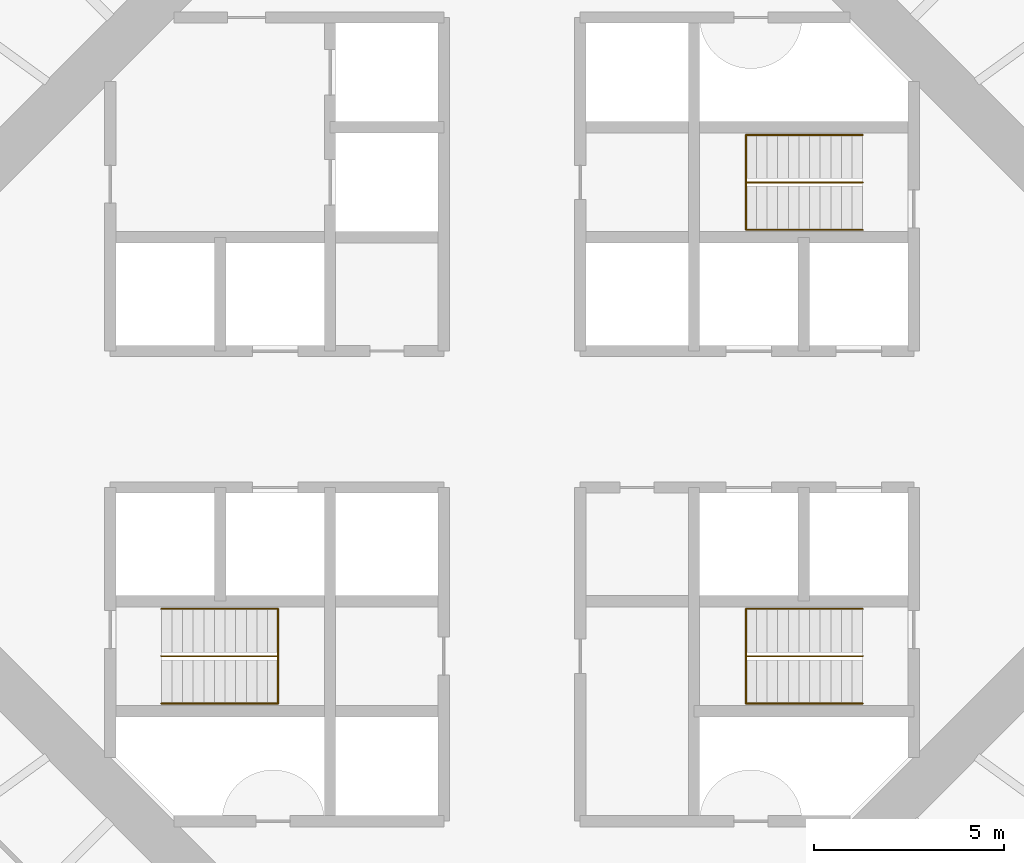
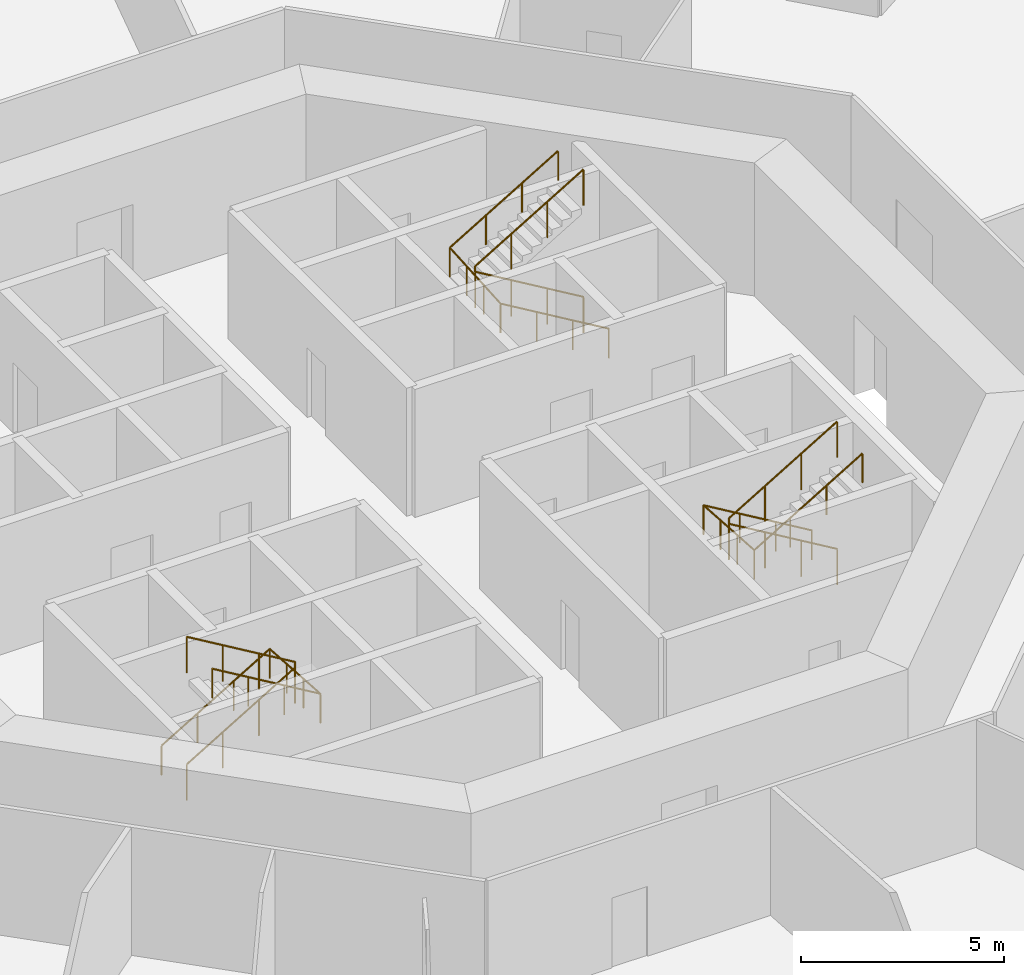
# One storey, part 13 of 13: 6 railings.
"""IFC4 building model written with IfcOpenShell, lengths in metres."""

from ifc_helpers import new_model, si_unit, direction, frame, origin, origin_2d, place, context, subcontext, project, spatial, circle, extrude, material, type_object, element, save


model = new_model("IFC4")

# Units and contexts
model_context = context("Model", 3, precision=1e-05, world=origin(), true_north=direction((0.0, 1.0)))
body_context = subcontext(model_context, "Body", "Model", "MODEL_VIEW")
ifc_project = project(units=[si_unit("LENGTHUNIT", "METRE"), si_unit("AREAUNIT", "SQUARE_METRE"), si_unit("VOLUMEUNIT", "CUBIC_METRE"), si_unit("PLANEANGLEUNIT", "RADIAN"), si_unit("MASSUNIT", "GRAM", prefix="KILO")], contexts=[model_context])

# Site, building, storey
site_placement = place(None, origin())
site = spatial("IfcSite", under=ifc_project, at=site_placement, CompositionType="ELEMENT")
building_placement = place(site_placement, origin())
building = spatial("IfcBuilding", under=site, at=building_placement, Name="Entoto Ring Tower", CompositionType="ELEMENT")
storey_placement = place(building_placement, frame((0.0, 0.0, 92.0)))
storey = spatial("IfcBuildingStorey", under=building, at=storey_placement, Name="L20", CompositionType="ELEMENT", Elevation=92.0)

# Railings
ifc_material_1 = material(Name="Steel S275", Category="steel")
railing_type_1 = type_object("IfcRailingType", Name="Stair guard 1100 mm steel", PredefinedType="GUARDRAIL", material=ifc_material_1)
railing_1_placement = place(storey_placement, frame((99.25, 86.25, 0.166748046875)))
element("IfcRailing", 1, at=railing_1_placement, inside=storey, type_object=railing_type_1, Name="Guard ST1", PredefinedType="GUARDRAIL", context=body_context, shape_type="SweptSolid", body=[
    extrude(circle(Radius=0.02392578125, at=origin_2d()), frame((0.0, 0.0, 1.076171875), z_axis=(-0.859308565015, 0.0, 0.511457515432), x_axis=(0.0, -1.0, 0.0)), (0.0, 0.0, 1.0), 3.58447265625),
    extrude(circle(Radius=0.02392578125, at=origin_2d()), frame((-3.080078125, 0.0, 2.9091796875), z_axis=(0.0, 0.0, 1.0), x_axis=(1.0, 0.0, 0.0)), (0.0, 0.0, 1.0), 0.166748046875),
    extrude(circle(Radius=0.02392578125, at=origin_2d()), frame((-3.080078125, 0.0, 3.076171875), z_axis=(0.859308565015, 0.0, 0.511457515432), x_axis=(0.0, 1.0, 0.0)), (0.0, 0.0, 1.0), 3.58447265625),
    extrude(circle(Radius=0.02099609375, at=origin_2d()), origin(), (0.0, 0.0, 1.0), 1.052001953125),
    extrude(circle(Radius=0.02099609375, at=origin_2d()), frame((-1.026611328125, 0.0, 0.611083984375)), (0.0, 0.0, 1.0), 1.052001953125),
    extrude(circle(Radius=0.02099609375, at=origin_2d()), frame((-2.053466796875, 0.0, 1.22216796875)), (0.0, 0.0, 1.0), 1.052001953125),
    extrude(circle(Radius=0.02099609375, at=origin_2d()), frame((-3.080078125, 0.0, 1.833251953125)), (0.0, 0.0, 1.0), 1.052001953125),
    extrude(circle(Radius=0.02099609375, at=origin_2d()), frame((-3.080078125, 0.0, 2.0)), (0.0, 0.0, 1.0), 1.052001953125),
    extrude(circle(Radius=0.02099609375, at=origin_2d()), frame((-2.053466796875, 0.0, 2.611083984375)), (0.0, 0.0, 1.0), 1.052001953125),
    extrude(circle(Radius=0.02099609375, at=origin_2d()), frame((-1.026611328125, 0.0, 3.22216796875)), (0.0, 0.0, 1.0), 1.052001953125),
    extrude(circle(Radius=0.02099609375, at=origin_2d()), frame((0.0, 0.0, 3.833251953125)), (0.0, 0.0, 1.0), 1.052001953125),
])
railing_2_placement = place(storey_placement, frame((80.75, 73.75, 0.166748046875)))
element("IfcRailing", 2, at=railing_2_placement, inside=storey, type_object=railing_type_1, Name="Guard ST2", PredefinedType="GUARDRAIL", context=body_context, shape_type="SweptSolid", body=[
    extrude(circle(Radius=0.02392578125, at=origin_2d()), frame((0.0, 0.0, 1.076171875), z_axis=(0.859308565015, 0.0, 0.511457515432), x_axis=(0.0, 1.0, 0.0)), (0.0, 0.0, 1.0), 3.58447265625),
    extrude(circle(Radius=0.02392578125, at=origin_2d()), frame((3.080078125, 0.0, 2.9091796875), z_axis=(0.0, 0.0, 1.0), x_axis=(1.0, 0.0, 0.0)), (0.0, 0.0, 1.0), 0.166748046875),
    extrude(circle(Radius=0.02392578125, at=origin_2d()), frame((3.080078125, 0.0, 3.076171875), z_axis=(-0.859308565015, 0.0, 0.511457515432), x_axis=(0.0, -1.0, 0.0)), (0.0, 0.0, 1.0), 3.58447265625),
    extrude(circle(Radius=0.02099609375, at=origin_2d()), origin(), (0.0, 0.0, 1.0), 1.052001953125),
    extrude(circle(Radius=0.02099609375, at=origin_2d()), frame((1.026611328125, 0.0, 0.611083984375)), (0.0, 0.0, 1.0), 1.052001953125),
    extrude(circle(Radius=0.02099609375, at=origin_2d()), frame((2.053466796875, 0.0, 1.22216796875)), (0.0, 0.0, 1.0), 1.052001953125),
    extrude(circle(Radius=0.02099609375, at=origin_2d()), frame((3.080078125, 0.0, 1.833251953125)), (0.0, 0.0, 1.0), 1.052001953125),
    extrude(circle(Radius=0.02099609375, at=origin_2d()), frame((3.080078125, 0.0, 2.0)), (0.0, 0.0, 1.0), 1.052001953125),
    extrude(circle(Radius=0.02099609375, at=origin_2d()), frame((2.053466796875, 0.0, 2.611083984375)), (0.0, 0.0, 1.0), 1.052001953125),
    extrude(circle(Radius=0.02099609375, at=origin_2d()), frame((1.026611328125, 0.0, 3.22216796875)), (0.0, 0.0, 1.0), 1.052001953125),
    extrude(circle(Radius=0.02099609375, at=origin_2d()), frame((0.0, 0.0, 3.833251953125)), (0.0, 0.0, 1.0), 1.052001953125),
])
railing_3_placement = place(storey_placement, frame((99.25, 73.75, 0.166748046875)))
element("IfcRailing", 3, at=railing_3_placement, inside=storey, type_object=railing_type_1, Name="Guard ST3", PredefinedType="GUARDRAIL", context=body_context, shape_type="SweptSolid", body=[
    extrude(circle(Radius=0.02392578125, at=origin_2d()), frame((0.0, 0.0, 1.076171875), z_axis=(-0.859308565015, 0.0, 0.511457515432), x_axis=(0.0, -1.0, 0.0)), (0.0, 0.0, 1.0), 3.58447265625),
    extrude(circle(Radius=0.02392578125, at=origin_2d()), frame((-3.080078125, 0.0, 2.9091796875), z_axis=(0.0, 0.0, 1.0), x_axis=(1.0, 0.0, 0.0)), (0.0, 0.0, 1.0), 0.166748046875),
    extrude(circle(Radius=0.02392578125, at=origin_2d()), frame((-3.080078125, 0.0, 3.076171875), z_axis=(0.859308565015, 0.0, 0.511457515432), x_axis=(0.0, 1.0, 0.0)), (0.0, 0.0, 1.0), 3.58447265625),
    extrude(circle(Radius=0.02099609375, at=origin_2d()), origin(), (0.0, 0.0, 1.0), 1.052001953125),
    extrude(circle(Radius=0.02099609375, at=origin_2d()), frame((-1.026611328125, 0.0, 0.611083984375)), (0.0, 0.0, 1.0), 1.052001953125),
    extrude(circle(Radius=0.02099609375, at=origin_2d()), frame((-2.053466796875, 0.0, 1.22216796875)), (0.0, 0.0, 1.0), 1.052001953125),
    extrude(circle(Radius=0.02099609375, at=origin_2d()), frame((-3.080078125, 0.0, 1.833251953125)), (0.0, 0.0, 1.0), 1.052001953125),
    extrude(circle(Radius=0.02099609375, at=origin_2d()), frame((-3.080078125, 0.0, 2.0)), (0.0, 0.0, 1.0), 1.052001953125),
    extrude(circle(Radius=0.02099609375, at=origin_2d()), frame((-2.053466796875, 0.0, 2.611083984375)), (0.0, 0.0, 1.0), 1.052001953125),
    extrude(circle(Radius=0.02099609375, at=origin_2d()), frame((-1.026611328125, 0.0, 3.22216796875)), (0.0, 0.0, 1.0), 1.052001953125),
    extrude(circle(Radius=0.02099609375, at=origin_2d()), frame((0.0, 0.0, 3.833251953125)), (0.0, 0.0, 1.0), 1.052001953125),
])
ifc_material_2 = material(Name="Steel S275", Category="steel")
railing_type_2 = type_object("IfcRailingType", Name="Stair handrail 900 mm steel", PredefinedType="HANDRAIL", material=ifc_material_2)
railing_4_placement = place(storey_placement, frame((99.25, 85.0, 0.166748046875)))
element("IfcRailing", 4, at=railing_4_placement, inside=storey, type_object=railing_type_2, Name="Handrail ST1", PredefinedType="HANDRAIL", context=body_context, shape_type="SweptSolid", body=[
    extrude(circle(Radius=0.02392578125, at=origin_2d()), frame((0.0, 0.0, 0.8759765625), z_axis=(-0.859308565015, 0.0, 0.511457515432), x_axis=(0.0, -1.0, 0.0)), (0.0, 0.0, 1.0), 3.58447265625),
    extrude(circle(Radius=0.02392578125, at=origin_2d()), frame((-3.080078125, 0.0, 2.708984375), z_axis=(0.0, 0.997783001586, 0.066551346688), x_axis=(-1.0, 0.0, 0.0)), (0.0, 0.0, 1.0), 2.505615234375),
    extrude(circle(Radius=0.02392578125, at=origin_2d()), frame((-3.080078125, 2.5, 2.8759765625), z_axis=(0.859308565015, 0.0, 0.511457515432), x_axis=(0.0, 1.0, 0.0)), (0.0, 0.0, 1.0), 3.58447265625),
    extrude(circle(Radius=0.02099609375, at=origin_2d()), origin(), (0.0, 0.0, 1.0), 0.851806640625),
    extrude(circle(Radius=0.02099609375, at=origin_2d()), frame((-1.026611328125, 0.0, 0.611083984375)), (0.0, 0.0, 1.0), 0.851806640625),
    extrude(circle(Radius=0.02099609375, at=origin_2d()), frame((-2.053466796875, 0.0, 1.22216796875)), (0.0, 0.0, 1.0), 0.851806640625),
    extrude(circle(Radius=0.02099609375, at=origin_2d()), frame((-3.080078125, 0.0, 1.833251953125)), (0.0, 0.0, 1.0), 0.851806640625),
    extrude(circle(Radius=0.02099609375, at=origin_2d()), frame((-3.080078125, 0.833251953125, 1.888916015625)), (0.0, 0.0, 1.0), 0.851806640625),
    extrude(circle(Radius=0.02099609375, at=origin_2d()), frame((-3.080078125, 1.666748046875, 1.9443359375)), (0.0, 0.0, 1.0), 0.851806640625),
    extrude(circle(Radius=0.02099609375, at=origin_2d()), frame((-3.080078125, 2.5, 2.0)), (0.0, 0.0, 1.0), 0.851806640625),
    extrude(circle(Radius=0.02099609375, at=origin_2d()), frame((-2.053466796875, 2.5, 2.611083984375)), (0.0, 0.0, 1.0), 0.851806640625),
    extrude(circle(Radius=0.02099609375, at=origin_2d()), frame((-1.026611328125, 2.5, 3.22216796875)), (0.0, 0.0, 1.0), 0.851806640625),
    extrude(circle(Radius=0.02099609375, at=origin_2d()), frame((0.0, 2.5, 3.833251953125)), (0.0, 0.0, 1.0), 0.851806640625),
])
railing_5_placement = place(storey_placement, frame((80.75, 75.0, 0.166748046875)))
element("IfcRailing", 5, at=railing_5_placement, inside=storey, type_object=railing_type_2, Name="Handrail ST2", PredefinedType="HANDRAIL", context=body_context, shape_type="SweptSolid", body=[
    extrude(circle(Radius=0.02392578125, at=origin_2d()), frame((0.0, 0.0, 0.8759765625), z_axis=(0.859308565015, 0.0, 0.511457515432), x_axis=(0.0, 1.0, 0.0)), (0.0, 0.0, 1.0), 3.58447265625),
    extrude(circle(Radius=0.02392578125, at=origin_2d()), frame((3.080078125, 0.0, 2.708984375), z_axis=(0.0, -0.997783001586, 0.066551346688), x_axis=(1.0, 0.0, 0.0)), (0.0, 0.0, 1.0), 2.505615234375),
    extrude(circle(Radius=0.02392578125, at=origin_2d()), frame((3.080078125, -2.5, 2.8759765625), z_axis=(-0.859308565015, 0.0, 0.511457515432), x_axis=(0.0, -1.0, 0.0)), (0.0, 0.0, 1.0), 3.58447265625),
    extrude(circle(Radius=0.02099609375, at=origin_2d()), origin(), (0.0, 0.0, 1.0), 0.851806640625),
    extrude(circle(Radius=0.02099609375, at=origin_2d()), frame((1.026611328125, 0.0, 0.611083984375)), (0.0, 0.0, 1.0), 0.851806640625),
    extrude(circle(Radius=0.02099609375, at=origin_2d()), frame((2.053466796875, 0.0, 1.22216796875)), (0.0, 0.0, 1.0), 0.851806640625),
    extrude(circle(Radius=0.02099609375, at=origin_2d()), frame((3.080078125, 0.0, 1.833251953125)), (0.0, 0.0, 1.0), 0.851806640625),
    extrude(circle(Radius=0.02099609375, at=origin_2d()), frame((3.080078125, -0.833251953125, 1.888916015625)), (0.0, 0.0, 1.0), 0.851806640625),
    extrude(circle(Radius=0.02099609375, at=origin_2d()), frame((3.080078125, -1.666748046875, 1.9443359375)), (0.0, 0.0, 1.0), 0.851806640625),
    extrude(circle(Radius=0.02099609375, at=origin_2d()), frame((3.080078125, -2.5, 2.0)), (0.0, 0.0, 1.0), 0.851806640625),
    extrude(circle(Radius=0.02099609375, at=origin_2d()), frame((2.053466796875, -2.5, 2.611083984375)), (0.0, 0.0, 1.0), 0.851806640625),
    extrude(circle(Radius=0.02099609375, at=origin_2d()), frame((1.026611328125, -2.5, 3.22216796875)), (0.0, 0.0, 1.0), 0.851806640625),
    extrude(circle(Radius=0.02099609375, at=origin_2d()), frame((0.0, -2.5, 3.833251953125)), (0.0, 0.0, 1.0), 0.851806640625),
])
railing_6_placement = place(storey_placement, frame((99.25, 75.0, 0.166748046875)))
element("IfcRailing", 6, at=railing_6_placement, inside=storey, type_object=railing_type_2, Name="Handrail ST3", PredefinedType="HANDRAIL", context=body_context, shape_type="SweptSolid", body=[
    extrude(circle(Radius=0.02392578125, at=origin_2d()), frame((0.0, 0.0, 0.8759765625), z_axis=(-0.859308565015, 0.0, 0.511457515432), x_axis=(0.0, -1.0, 0.0)), (0.0, 0.0, 1.0), 3.58447265625),
    extrude(circle(Radius=0.02392578125, at=origin_2d()), frame((-3.080078125, 0.0, 2.708984375), z_axis=(0.0, -0.997783001586, 0.066551346688), x_axis=(1.0, 0.0, 0.0)), (0.0, 0.0, 1.0), 2.505615234375),
    extrude(circle(Radius=0.02392578125, at=origin_2d()), frame((-3.080078125, -2.5, 2.8759765625), z_axis=(0.859308565015, 0.0, 0.511457515432), x_axis=(0.0, 1.0, 0.0)), (0.0, 0.0, 1.0), 3.58447265625),
    extrude(circle(Radius=0.02099609375, at=origin_2d()), origin(), (0.0, 0.0, 1.0), 0.851806640625),
    extrude(circle(Radius=0.02099609375, at=origin_2d()), frame((-1.026611328125, 0.0, 0.611083984375)), (0.0, 0.0, 1.0), 0.851806640625),
    extrude(circle(Radius=0.02099609375, at=origin_2d()), frame((-2.053466796875, 0.0, 1.22216796875)), (0.0, 0.0, 1.0), 0.851806640625),
    extrude(circle(Radius=0.02099609375, at=origin_2d()), frame((-3.080078125, 0.0, 1.833251953125)), (0.0, 0.0, 1.0), 0.851806640625),
    extrude(circle(Radius=0.02099609375, at=origin_2d()), frame((-3.080078125, -0.833251953125, 1.888916015625)), (0.0, 0.0, 1.0), 0.851806640625),
    extrude(circle(Radius=0.02099609375, at=origin_2d()), frame((-3.080078125, -1.666748046875, 1.9443359375)), (0.0, 0.0, 1.0), 0.851806640625),
    extrude(circle(Radius=0.02099609375, at=origin_2d()), frame((-3.080078125, -2.5, 2.0)), (0.0, 0.0, 1.0), 0.851806640625),
    extrude(circle(Radius=0.02099609375, at=origin_2d()), frame((-2.053466796875, -2.5, 2.611083984375)), (0.0, 0.0, 1.0), 0.851806640625),
    extrude(circle(Radius=0.02099609375, at=origin_2d()), frame((-1.026611328125, -2.5, 3.22216796875)), (0.0, 0.0, 1.0), 0.851806640625),
    extrude(circle(Radius=0.02099609375, at=origin_2d()), frame((0.0, -2.5, 3.833251953125)), (0.0, 0.0, 1.0), 0.851806640625),
])

save(model, "model.ifc")
